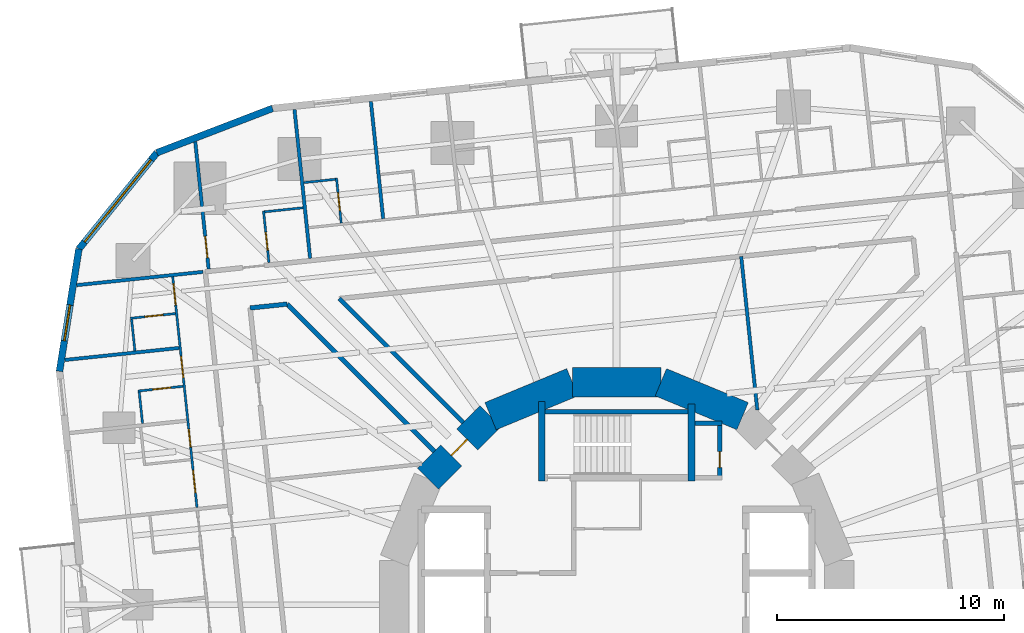
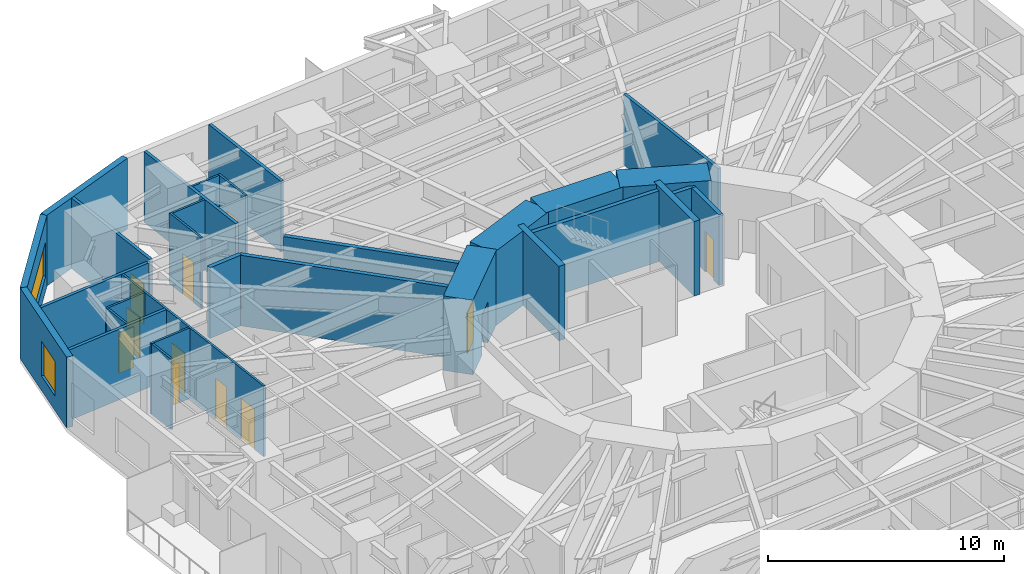
# One storey, part 10 of 15: 30 walls, 11 doors, 2 windows, 13 openings.
"""IFC4 building model written with IfcOpenShell, lengths in metres."""

import ifcopenshell
import ifcopenshell.guid

model = None  # the IFC model being written
_history = None  # IfcOwnerHistory: only IFC2X3 demands one
_inside = {}  # id of a spatial element -> (the spatial element, [elements in it])
_under = {}  # id of a project, library or spatial element -> (it, [spatial elements below it])
_declared = {}  # id of a project -> (the project, [libraries it declares])
_typed = {}  # id of a type object -> (the type object, [elements of that type])
_made_of = {}  # id of a material, layer set ... -> (it, [elements and type objects made of it])


def new_model(schema):
    """Start an empty IFC model of exactly this schema.

    Asked for "IFC4X3", IfcOpenShell would pick the latest addendum, in which some entities
    have other attributes; the version numbers below select the first issue.
    IFC2X3 requires an IfcOwnerHistory on every rooted entity: one is made here for all.
    """
    global model, _history
    if schema == "IFC4X3":
        model = ifcopenshell.file(schema_version=(4, 3, 0, 0))
    else:
        model = ifcopenshell.file(schema=schema)
    _inside.clear()
    _under.clear()
    _declared.clear()
    _typed.clear()
    _made_of.clear()
    _history = None
    if model.schema == "IFC2X3":
        org = make("IfcOrganization", Name="unknown")
        user = make(
            "IfcPersonAndOrganization",
            ThePerson=make("IfcPerson", FamilyName="unknown"),
            TheOrganization=org,
        )
        app = make(
            "IfcApplication",
            ApplicationDeveloper=org,
            Version="unknown",
            ApplicationFullName="unknown",
            ApplicationIdentifier="unknown",
        )
        _history = make(
            "IfcOwnerHistory",
            OwningUser=user,
            OwningApplication=app,
            ChangeAction="ADDED",
            CreationDate=0,
        )
    return model


def make(cls, **values):
    """One entity of the class cls with the attributes given. An attribute that is None is left unset."""
    return model.create_entity(
        cls, **{name: value for name, value in values.items() if value is not None}
    )


def rooted(cls, **values):
    """An entity with a GlobalId (a new one), such as an element, a storey or a relation."""
    return make(cls, GlobalId=ifcopenshell.guid.new(), OwnerHistory=_history, **values)


def si_unit(unit_type, name, prefix=None):
    """IfcSIUnit, for example si_unit("LENGTHUNIT", "METRE", prefix="MILLI")."""
    return make("IfcSIUnit", UnitType=unit_type, Prefix=prefix, Name=name)


def assignment(units):
    """IfcUnitAssignment: the units of a project."""
    return None if units is None else make("IfcUnitAssignment", Units=units)


def point(xyz):
    """IfcCartesianPoint."""
    return None if xyz is None else make("IfcCartesianPoint", Coordinates=xyz)


def direction(xyz):
    """IfcDirection."""
    return None if xyz is None else make("IfcDirection", DirectionRatios=xyz)


def frame(location, z_axis=None, x_axis=None):
    """IfcAxis2Placement3D, a coordinate frame: its origin and axes. An axis left out is left unset."""
    return make(
        "IfcAxis2Placement3D",
        Location=point(location),
        Axis=direction(z_axis),
        RefDirection=direction(x_axis),
    )


def frame_2d(location, x_axis=None):
    """IfcAxis2Placement2D, a coordinate frame in the plane: its origin and x axis."""
    return make(
        "IfcAxis2Placement2D", Location=point(location), RefDirection=direction(x_axis)
    )


def origin():
    """The frame at (0, 0, 0) with its axes left unset."""
    return frame((0.0, 0.0, 0.0))


def place(relative_to, where):
    """IfcLocalPlacement: puts the frame where relative to a parent placement (None: the world)."""
    return make(
        "IfcLocalPlacement", PlacementRelTo=relative_to, RelativePlacement=where
    )


def context(
    kind, dimensions, precision=None, world=None, true_north=None, identifier=None
):
    """IfcGeometricRepresentationContext, for example the 3D "Model" context."""
    return make(
        "IfcGeometricRepresentationContext",
        ContextIdentifier=identifier,
        ContextType=kind,
        CoordinateSpaceDimension=dimensions,
        Precision=precision,
        WorldCoordinateSystem=world,
        TrueNorth=true_north,
    )


def subcontext(parent, identifier, kind, view, scale=None):
    """IfcGeometricRepresentationSubContext, for example "Body" below "Model"."""
    return make(
        "IfcGeometricRepresentationSubContext",
        ContextIdentifier=identifier,
        ContextType=kind,
        ParentContext=parent,
        TargetScale=scale,
        TargetView=view,
    )


def project(units=None, contexts=None):
    """IfcProject with its units and contexts."""
    return rooted(
        "IfcProject",
        Name="project",
        RepresentationContexts=contexts,
        UnitsInContext=assignment(units),
    )


def spatial(cls, under=None, at=None, **own):
    """A site, building, storey or space (cls), placed at a placement, below another one or the project."""
    s = rooted(cls, ObjectPlacement=at, **own)
    if under is not None:
        _under.setdefault(under.id(), (under, []))[1].append(s)
    return s


def profile(cls, at=None, kind="AREA", **sizes):
    """A parametric profile (cls). Its sizes go by their IFC names, for example OverallWidth=200.0."""
    return make(cls, ProfileType=kind, Position=at, **sizes)


def rectangle(**sizes):
    """IfcRectangleProfileDef."""
    return profile("IfcRectangleProfileDef", **sizes)


def extrude(swept, where, along, depth):
    """IfcExtrudedAreaSolid: the profile swept, set in the frame where, extruded along a direction by depth."""
    return make(
        "IfcExtrudedAreaSolid",
        SweptArea=swept,
        Position=where,
        ExtrudedDirection=direction(along),
        Depth=depth,
    )


def shape(context_of_items, identifier, shape_type, items):
    """IfcShapeRepresentation: the items that make up one representation, for example the "Body"."""
    return make(
        "IfcShapeRepresentation",
        ContextOfItems=context_of_items,
        RepresentationIdentifier=identifier,
        RepresentationType=shape_type,
        Items=items,
    )


def material(Name=None, Category=None):
    """IfcMaterial."""
    return make("IfcMaterial", Name=Name, Category=Category)


def layer(
    of_material, thickness, ventilated=None, Name=None, Category=None, Priority=None
):
    """IfcMaterialLayer: one layer of a wall or slab, of a material (None: an air gap)."""
    return make(
        "IfcMaterialLayer",
        Material=of_material,
        LayerThickness=thickness,
        IsVentilated=ventilated,
        Name=Name,
        Category=Category,
        Priority=Priority,
    )


def layer_set(layers, Name=None):
    """IfcMaterialLayerSet."""
    return make("IfcMaterialLayerSet", MaterialLayers=layers, LayerSetName=Name)


def made_of(thing, what):
    """Note that an element or type object is made of a material, layer set ...; save() writes the relation."""
    if what is not None:
        _made_of.setdefault(what.id(), (what, []))[1].append(thing)
    return thing


def type_object(cls, material=None, **own):
    """A type object (cls), such as IfcWallType, which elements share."""
    return made_of(rooted(cls, **own), material)


def element(
    cls,
    number,
    at=None,
    inside=None,
    cuts=None,
    type_object=None,
    material=None,
    context=None,
    identifier="Body",
    shape_type=None,
    held_by="IfcProductDefinitionShape",
    body=None,
    shapes=None,
    **own,
):
    """One element of the class cls, such as IfcWall. Its Tag is "e" and its number.

    at: its placement. inside: the storey or other place that contains it. cuts: it is an
    opening in that element (IfcRelVoidsElement). A single representation is given by context,
    identifier, shape_type and body (its items); several are given by shapes. held_by: the class
    of the entity that holds the representations. save() writes the other relations.
    """
    e = rooted(cls, Tag="e%d" % number, ObjectPlacement=at, **own)
    if body is not None:
        shapes = [shape(context, identifier, shape_type, body)]
    if shapes is not None:
        e.Representation = make(held_by, Representations=shapes)
    if inside is not None:
        _inside.setdefault(inside.id(), (inside, []))[1].append(e)
    if cuts is not None:
        rooted(
            "IfcRelVoidsElement", RelatingBuildingElement=cuts, RelatedOpeningElement=e
        )
    if type_object is not None:
        _typed.setdefault(type_object.id(), (type_object, []))[1].append(e)
    return made_of(e, material)


def fill(opening, filler):
    """IfcRelFillsElement: the door or window that sits in an opening."""
    return rooted(
        "IfcRelFillsElement",
        RelatingOpeningElement=opening,
        RelatedBuildingElement=filler,
    )


def aggregate(whole, parts):
    """IfcRelAggregates: a whole, such as a stair, and the parts it consists of."""
    return rooted("IfcRelAggregates", RelatingObject=whole, RelatedObjects=parts)


def save(model, path):
    """Write the relations noted so far, then the file.

    IfcRelAggregates (storeys below a building ...), IfcRelContainedInSpatialStructure (elements
    in a storey), IfcRelDefinesByType, IfcRelAssociatesMaterial and IfcRelDeclares: one each for
    every whole, place, type object, material and project.
    """
    for whole, parts in _under.values():
        aggregate(whole, parts)
    for where, things in _inside.values():
        rooted(
            "IfcRelContainedInSpatialStructure",
            RelatedElements=things,
            RelatingStructure=where,
        )
    for kind, things in _typed.values():
        rooted("IfcRelDefinesByType", RelatedObjects=things, RelatingType=kind)
    for what, things in _made_of.values():
        rooted("IfcRelAssociatesMaterial", RelatedObjects=things, RelatingMaterial=what)
    for by, libraries in _declared.values():
        rooted("IfcRelDeclares", RelatingContext=by, RelatedDefinitions=libraries)
    model.write(path)


model = new_model("IFC4")

# Units and contexts
model_context = context("Model", 3, precision=1e-05, world=origin(), true_north=direction((0.0, 1.0)))
body_context = subcontext(model_context, "Body", "Model", "MODEL_VIEW")
ifc_project = project(units=[si_unit("LENGTHUNIT", "METRE"), si_unit("AREAUNIT", "SQUARE_METRE"), si_unit("VOLUMEUNIT", "CUBIC_METRE"), si_unit("PLANEANGLEUNIT", "RADIAN"), si_unit("MASSUNIT", "GRAM", prefix="KILO")], contexts=[model_context])

# Site, building, storey
site_placement = place(None, origin())
site = spatial("IfcSite", under=ifc_project, at=site_placement, CompositionType="ELEMENT")
building_placement = place(site_placement, origin())
building = spatial("IfcBuilding", under=site, at=building_placement, Name="Nakasero Lantern House", CompositionType="ELEMENT")
storey_placement = place(building_placement, frame((0.0, 0.0, 72.050048828125)))
storey = spatial("IfcBuildingStorey", under=building, at=storey_placement, Name="L17", CompositionType="ELEMENT", Elevation=72.050048828125)

# Wall, openings, doors
ifc_material_1 = material(Name="Blockwork", Category="masonry")
ifc_layer_1 = layer(ifc_material_1, 0.10009765625)
ifc_layer_set_1 = layer_set([ifc_layer_1], Name="Cluster hall wall 100")
wall_type_1 = type_object("IfcWallType", Name="Cluster hall wall 100", PredefinedType="PARTITIONING", material=ifc_layer_set_1)
wall_1_placement = place(storey_placement, frame((-19.568603515625, 14.458740234375, 0.0), z_axis=(0.0, 0.0, 1.0), x_axis=(0.104541804513, -0.994520493056, 0.0)))
wall_1 = element("IfcWall", 1, at=wall_1_placement, inside=storey, type_object=wall_type_1, Name="Cluster hall wall L17 HW2-0", PredefinedType="PARTITIONING", context=body_context, shape_type="SweptSolid", body=[
    extrude(rectangle(XDim=10.2216796875, YDim=0.10009765625, at=frame_2d((5.11083984375, 0.0))), origin(), (0.0, 0.0, 1.0), 3.64990234375),
])
opening_1_placement = place(wall_1_placement, frame((8.57568359375, 0.0, 0.0)))
opening_1 = element("IfcOpeningElement", 2, at=opening_1_placement, cuts=wall_1, Name="Opening D03", PredefinedType="OPENING", context=body_context, shape_type="SweptSolid", body=[
    extrude(rectangle(XDim=1.0, YDim=2.10009765625, at=frame_2d((0.5, 1.050048828125))), frame((0.0, 0.070068359375, 0.0), z_axis=(0.0, -1.0, 0.0), x_axis=(1.0, 0.0, 0.0)), (0.0, 0.0, 1.0), 0.14013671875),
])
opening_2_placement = place(wall_1_placement, frame((6.75048828125, 0.0, 0.0)))
opening_2 = element("IfcOpeningElement", 3, at=opening_2_placement, cuts=wall_1, Name="Opening D02", PredefinedType="OPENING", context=body_context, shape_type="SweptSolid", body=[
    extrude(rectangle(XDim=0.800048828125, YDim=2.10009765625, at=frame_2d((0.39990234375, 1.050048828125))), frame((0.0, 0.070068359375, 0.0), z_axis=(0.0, -1.0, 0.0), x_axis=(1.0, 0.0, 0.0)), (0.0, 0.0, 1.0), 0.14013671875),
])
opening_3_placement = place(wall_1_placement, frame((0.300048828125, 0.0, 0.0)))
opening_3 = element("IfcOpeningElement", 4, at=opening_3_placement, cuts=wall_1, Name="Opening D01", PredefinedType="OPENING", context=body_context, shape_type="SweptSolid", body=[
    extrude(rectangle(XDim=0.949951171875, YDim=2.10009765625, at=frame_2d((0.47509765625, 1.050048828125))), frame((0.0, 0.070068359375, 0.0), z_axis=(0.0, -1.0, 0.0), x_axis=(1.0, 0.0, 0.0)), (0.0, 0.0, 1.0), 0.14013671875),
])
opening_4_placement = place(wall_1_placement, frame((3.525390625, 0.0, 0.0)))
opening_4 = element("IfcOpeningElement", 5, at=opening_4_placement, cuts=wall_1, Name="Opening D01", PredefinedType="OPENING", context=body_context, shape_type="SweptSolid", body=[
    extrude(rectangle(XDim=0.949951171875, YDim=2.10009765625, at=frame_2d((0.47509765625, 1.050048828125))), frame((0.0, 0.070068359375, 0.0), z_axis=(0.0, -1.0, 0.0), x_axis=(1.0, 0.0, 0.0)), (0.0, 0.0, 1.0), 0.14013671875),
])
ifc_material_2 = material(Name="Timber C24", Category="wood")
door_type_1 = type_object("IfcDoorType", Name="Bedroom door FD30S 950", OperationType="SINGLE_SWING_LEFT", PredefinedType="DOOR", material=ifc_material_2)
door_1_placement = place(opening_3_placement, origin())
door_1 = element("IfcDoor", 6, at=door_1_placement, inside=storey, type_object=door_type_1, Name="Door L17 D2-00", OperationType="SINGLE_SWING_LEFT", OverallHeight=2.10009765625, OverallWidth=0.949951171875, PredefinedType="DOOR", context=body_context, shape_type="SweptSolid", body=[
    extrude(rectangle(XDim=0.949951171875, YDim=2.10009765625, at=frame_2d((0.47509765625, 1.050048828125))), frame((0.0, 0.02490234375, 0.0), z_axis=(0.0, -1.0, 0.0), x_axis=(1.0, 0.0, 0.0)), (0.0, 0.0, 1.0), 0.050048828125),
])
fill(opening_3, door_1)
door_2_placement = place(opening_4_placement, origin())
door_2 = element("IfcDoor", 7, at=door_2_placement, inside=storey, type_object=door_type_1, Name="Door L17 D2-01", OperationType="SINGLE_SWING_LEFT", OverallHeight=2.10009765625, OverallWidth=0.949951171875, PredefinedType="DOOR", context=body_context, shape_type="SweptSolid", body=[
    extrude(rectangle(XDim=0.949951171875, YDim=2.10009765625, at=frame_2d((0.47509765625, 1.050048828125))), frame((0.0, 0.02490234375, 0.0), z_axis=(0.0, -1.0, 0.0), x_axis=(1.0, 0.0, 0.0)), (0.0, 0.0, 1.0), 0.050048828125),
])
fill(opening_4, door_2)
ifc_material_3 = material(Name="Timber C24", Category="wood")
door_type_2 = type_object("IfcDoorType", Name="En-suite door 800", OperationType="SINGLE_SWING_RIGHT", PredefinedType="DOOR", material=ifc_material_3)
door_3_placement = place(opening_2_placement, origin())
door_3 = element("IfcDoor", 8, at=door_3_placement, inside=storey, type_object=door_type_2, Name="Door L17 DSH2-0", OperationType="SINGLE_SWING_RIGHT", OverallHeight=2.10009765625, OverallWidth=0.800048828125, PredefinedType="DOOR", context=body_context, shape_type="SweptSolid", body=[
    extrude(rectangle(XDim=0.800048828125, YDim=2.10009765625, at=frame_2d((0.39990234375, 1.050048828125))), frame((0.0, 0.02490234375, 0.0), z_axis=(0.0, -1.0, 0.0), x_axis=(1.0, 0.0, 0.0)), (0.0, 0.0, 1.0), 0.050048828125),
])
fill(opening_2, door_3)
ifc_material_4 = material(Name="Timber C24", Category="wood")
door_type_3 = type_object("IfcDoorType", Name="Lounge door FD30S 1000", OperationType="SINGLE_SWING_LEFT", PredefinedType="DOOR", material=ifc_material_4)
door_4_placement = place(opening_1_placement, origin())
door_4 = element("IfcDoor", 9, at=door_4_placement, inside=storey, type_object=door_type_3, Name="Door L17 DH2-0", OperationType="SINGLE_SWING_RIGHT", OverallHeight=2.10009765625, OverallWidth=1.0, PredefinedType="DOOR", context=body_context, shape_type="SweptSolid", body=[
    extrude(rectangle(XDim=1.0, YDim=2.10009765625, at=frame_2d((0.5, 1.050048828125))), frame((0.0, 0.02490234375, 0.0), z_axis=(0.0, -1.0, 0.0), x_axis=(1.0, 0.0, 0.0)), (0.0, 0.0, 1.0), 0.050048828125),
])
fill(opening_1, door_4)

# Walls
ifc_material_5 = material(Name="Concrete C50/60", Category="concrete")
ifc_layer_2 = layer(ifc_material_5, 0.300048828125)
ifc_layer_set_2 = layer_set([ifc_layer_2], Name="Core inner wall 300")
wall_type_2 = type_object("IfcWallType", Name="Core inner wall 300", PredefinedType="SHEAR", material=ifc_layer_set_2)
wall_2_placement = place(storey_placement, frame((-3.300048828125, 5.449951171875, 0.0), z_axis=(0.0, 0.0, 1.0), x_axis=(0.0, 1.0, 0.0)))
element("IfcWall", 10, at=wall_2_placement, inside=storey, type_object=wall_type_2, Name="Core inner wall L17 SNW", PredefinedType="SHEAR", context=body_context, shape_type="SweptSolid", body=[
    extrude(rectangle(XDim=3.5, YDim=0.300048828125, at=frame_2d((1.75, 0.0))), origin(), (0.0, 0.0, 1.0), 3.849853515625),
])
wall_3_placement = place(storey_placement, frame((3.300048828125, 5.449951171875, 0.0), z_axis=(0.0, 0.0, 1.0), x_axis=(0.0, 1.0, 0.0)))
element("IfcWall", 11, at=wall_3_placement, inside=storey, type_object=wall_type_2, Name="Core inner wall L17 SNE", PredefinedType="SHEAR", context=body_context, shape_type="SweptSolid", body=[
    extrude(rectangle(XDim=3.400146484375, YDim=0.300048828125, at=frame_2d((1.7001953125, 0.0))), origin(), (0.0, 0.0, 1.0), 3.849853515625),
])
ifc_material_6 = material(Name="Concrete C50/60", Category="concrete")
ifc_layer_3 = layer(ifc_material_6, 1.300048828125)
ifc_layer_set_3 = layer_set([ifc_layer_3], Name="Core wall 1300")
wall_type_3 = type_object("IfcWallType", Name="Core wall 1300", PredefinedType="SHEAR", material=ifc_layer_set_3)
for number, where, z_axis, x_axis, name in (
    (12, (5.5556640625, 8.314697265625, 0.0), (0.0, 0.0, 1.0), (-0.923876507187, 0.382690736062, 0.0), "Core wall L17 facet 3"),
    (13, (1.950927734375, 9.807861328125, 0.0), (0.0, 0.0, 1.0), (-1.0, 0.0, 0.0), "Core wall L17 facet 4"),
    (14, (-1.950927734375, 9.807861328125, 0.0), (0.0, 0.0, 1.0), (-0.923876507187, -0.382690736062, 0.0), "Core wall L17 facet 5"),
):
    element("IfcWall", number, at=place(storey_placement, frame(where, z_axis=z_axis, x_axis=x_axis)), inside=storey, type_object=wall_type_3, Name=name, PredefinedType="SHEAR", context=body_context, shape_type="SweptSolid", body=[
        extrude(rectangle(XDim=3.90185546875, YDim=1.300048828125, at=frame_2d((1.950927734375, 0.0))), origin(), (0.0, 0.0, 1.0), 3.849853515625),
    ])

# Wall, opening, door
wall_4_placement = place(storey_placement, frame((-5.5556640625, 8.314697265625, 0.0), z_axis=(0.0, 0.0, 1.0), x_axis=(-0.707106781187, -0.707106781187, 0.0)))
wall_4 = element("IfcWall", 15, at=wall_4_placement, inside=storey, type_object=wall_type_3, Name="Core wall L17 facet 6", PredefinedType="SHEAR", context=body_context, shape_type="SweptSolid", body=[
    extrude(rectangle(XDim=3.90185546875, YDim=1.300048828125, at=frame_2d((1.950927734375, 0.0))), origin(), (0.0, 0.0, 1.0), 3.849853515625),
])
opening_5_placement = place(wall_4_placement, frame((1.450927734375, 0.0, 0.0)))
opening_5 = element("IfcOpeningElement", 16, at=opening_5_placement, cuts=wall_4, Name="Opening D05", PredefinedType="OPENING", context=body_context, shape_type="SweptSolid", body=[
    extrude(rectangle(XDim=1.0, YDim=2.10009765625, at=frame_2d((0.5, 1.050048828125))), frame((0.0, 0.669921875, 0.0), z_axis=(0.0, -1.0, 0.0), x_axis=(1.0, 0.0, 0.0)), (0.0, 0.0, 1.0), 1.340087890625),
])
ifc_material_7 = material(Name="Timber C24", Category="wood")
door_type_4 = type_object("IfcDoorType", Name="Core door FD60S 1000", OperationType="SINGLE_SWING_LEFT", PredefinedType="DOOR", material=ifc_material_7)
door_5_placement = place(opening_5_placement, origin())
door_5 = element("IfcDoor", 17, at=door_5_placement, inside=storey, type_object=door_type_4, Name="Door L17 D-CORE06", OperationType="SINGLE_SWING_LEFT", OverallHeight=2.10009765625, OverallWidth=1.0, PredefinedType="DOOR", context=body_context, shape_type="SweptSolid", body=[
    extrude(rectangle(XDim=1.0, YDim=2.10009765625, at=frame_2d((0.5, 1.050048828125))), frame((0.0, 0.02490234375, 0.0), z_axis=(0.0, -1.0, 0.0), x_axis=(1.0, 0.0, 0.0)), (0.0, 0.0, 1.0), 0.050048828125),
])
fill(opening_5, door_5)

# Walls
ifc_material_8 = material(Name="Blockwork", Category="masonry")
ifc_layer_4 = layer(ifc_material_8, 0.199951171875)
ifc_layer_set_4 = layer_set([ifc_layer_4], Name="Corridor wall 200")
wall_type_4 = type_object("IfcWallType", Name="Corridor wall 200", PredefinedType="PARTITIONING", material=ifc_layer_set_4)
wall_5_placement = place(storey_placement, frame((-14.52685546875, 13.254150390625, 0.0), z_axis=(0.0, 0.0, 1.0), x_axis=(-0.99452748025, -0.104475313001, 0.0)))
element("IfcWall", 18, at=wall_5_placement, inside=storey, type_object=wall_type_4, Name="Corridor wall L17 IW1-1", PredefinedType="PARTITIONING", context=body_context, shape_type="SweptSolid", body=[
    extrude(rectangle(XDim=1.63818359375, YDim=0.199951171875, at=frame_2d((0.819091796875, 0.0))), origin(), (0.0, 0.0, 1.0), 3.64990234375),
])
wall_6_placement = place(storey_placement, frame((-8.03125, 6.758544921875, 0.0), z_axis=(0.0, 0.0, 1.0), x_axis=(-0.707106781187, 0.707106781187, 0.0)))
element("IfcWall", 19, at=wall_6_placement, inside=storey, type_object=wall_type_4, Name="Corridor wall L17 PS06a", PredefinedType="PARTITIONING", context=body_context, shape_type="SweptSolid", body=[
    extrude(rectangle(XDim=9.186279296875, YDim=0.199951171875, at=frame_2d((4.59326171875, 0.0))), origin(), (0.0, 0.0, 1.0), 3.64990234375),
])
wall_7_placement = place(storey_placement, frame((-6.758544921875, 8.03125, 0.0), z_axis=(0.0, 0.0, 1.0), x_axis=(-0.707090986447, 0.707122575573, 0.0)))
element("IfcWall", 20, at=wall_7_placement, inside=storey, type_object=wall_type_4, Name="Corridor wall L17 PS06b", PredefinedType="PARTITIONING", context=body_context, shape_type="SweptSolid", body=[
    extrude(rectangle(XDim=7.728515625, YDim=0.199951171875, at=frame_2d((3.8642578125, 0.0))), origin(), (0.0, 0.0, 1.0), 3.64990234375),
])

# Wall, opening, door
ifc_material_9 = material(Name="Blockwork", Category="masonry")
ifc_layer_5 = layer(ifc_material_9, 0.10009765625)
ifc_layer_set_5 = layer_set([ifc_layer_5], Name="En-suite wall 100")
wall_type_5 = type_object("IfcWallType", Name="En-suite wall 100", PredefinedType="PARTITIONING", material=ifc_layer_set_5)
wall_8_placement = place(storey_placement, frame((-12.14111328125, 16.822998046875, 0.0), z_axis=(0.0, 0.0, 1.0), x_axis=(-0.104494148666, 0.99452550138, 0.0)))
wall_8 = element("IfcWall", 21, at=wall_8_placement, inside=storey, type_object=wall_type_5, Name="En-suite wall L17 ES1-07", PredefinedType="PARTITIONING", context=body_context, shape_type="SweptSolid", body=[
    extrude(rectangle(XDim=2.0, YDim=0.10009765625, at=frame_2d((1.0, 0.0))), origin(), (0.0, 0.0, 1.0), 3.64990234375),
])
opening_6_placement = place(wall_8_placement, frame((0.550048828125, 0.0, 0.0)))
opening_6 = element("IfcOpeningElement", 22, at=opening_6_placement, cuts=wall_8, Name="Opening D02", PredefinedType="OPENING", context=body_context, shape_type="SweptSolid", body=[
    extrude(rectangle(XDim=0.800048828125, YDim=2.10009765625, at=frame_2d((0.39990234375, 1.050048828125))), frame((0.0, 0.070068359375, 0.0), z_axis=(0.0, -1.0, 0.0), x_axis=(1.0, 0.0, 0.0)), (0.0, 0.0, 1.0), 0.14013671875),
])
door_6_placement = place(opening_6_placement, origin())
door_6 = element("IfcDoor", 23, at=door_6_placement, inside=storey, type_object=door_type_2, Name="Door L17 DE1-07", OperationType="SINGLE_SWING_LEFT", OverallHeight=2.10009765625, OverallWidth=0.800048828125, PredefinedType="DOOR", context=body_context, shape_type="SweptSolid", body=[
    extrude(rectangle(XDim=0.800048828125, YDim=2.10009765625, at=frame_2d((0.39990234375, 1.050048828125))), frame((0.0, 0.02490234375, 0.0), z_axis=(0.0, -1.0, 0.0), x_axis=(1.0, 0.0, 0.0)), (0.0, 0.0, 1.0), 0.050048828125),
])
fill(opening_6, door_6)

# Wall
wall_9_placement = place(storey_placement, frame((-12.394775390625, 18.757080078125, 0.0), z_axis=(0.0, 0.0, 1.0), x_axis=(-0.994529315664, -0.104457839748, 0.0)))
element("IfcWall", 24, at=wall_9_placement, inside=storey, type_object=wall_type_5, Name="En-suite wall L17 EE1-07", PredefinedType="PARTITIONING", context=body_context, shape_type="SweptSolid", body=[
    extrude(rectangle(XDim=1.39990234375, YDim=0.10009765625, at=frame_2d((0.699951171875, 0.0))), origin(), (0.0, 0.0, 1.0), 3.64990234375),
])

# Wall, opening, door
wall_10_placement = place(storey_placement, frame((-15.326416015625, 15.08056640625, 0.0), z_axis=(0.0, 0.0, 1.0), x_axis=(-0.104557694553, 0.994518822602, 0.0)))
wall_10 = element("IfcWall", 25, at=wall_10_placement, inside=storey, type_object=wall_type_5, Name="En-suite wall L17 ES1-08", PredefinedType="PARTITIONING", context=body_context, shape_type="SweptSolid", body=[
    extrude(rectangle(XDim=2.300048828125, YDim=0.10009765625, at=frame_2d((1.14990234375, 0.0))), origin(), (0.0, 0.0, 1.0), 3.64990234375),
])
opening_7_placement = place(wall_10_placement, frame((0.550048828125, 0.0, 0.0)))
opening_7 = element("IfcOpeningElement", 26, at=opening_7_placement, cuts=wall_10, Name="Opening D02", PredefinedType="OPENING", context=body_context, shape_type="SweptSolid", body=[
    extrude(rectangle(XDim=0.800048828125, YDim=2.10009765625, at=frame_2d((0.39990234375, 1.050048828125))), frame((0.0, 0.070068359375, 0.0), z_axis=(0.0, -1.0, 0.0), x_axis=(1.0, 0.0, 0.0)), (0.0, 0.0, 1.0), 0.14013671875),
])
door_7_placement = place(opening_7_placement, origin())
door_7 = element("IfcDoor", 27, at=door_7_placement, inside=storey, type_object=door_type_2, Name="Door L17 DE1-08", OperationType="SINGLE_SWING_LEFT", OverallHeight=2.10009765625, OverallWidth=0.800048828125, PredefinedType="DOOR", context=body_context, shape_type="SweptSolid", body=[
    extrude(rectangle(XDim=0.800048828125, YDim=2.10009765625, at=frame_2d((0.39990234375, 1.050048828125))), frame((0.0, 0.02490234375, 0.0), z_axis=(0.0, -1.0, 0.0), x_axis=(1.0, 0.0, 0.0)), (0.0, 0.0, 1.0), 0.050048828125),
])
fill(opening_7, door_7)

# Wall
wall_11_placement = place(storey_placement, frame((-13.8212890625, 17.501220703125, 0.0), z_axis=(0.0, 0.0, 1.0), x_axis=(-0.994519608382, -0.104550220202, 0.0)))
element("IfcWall", 28, at=wall_11_placement, inside=storey, type_object=wall_type_5, Name="En-suite wall L17 EE1-08", PredefinedType="PARTITIONING", context=body_context, shape_type="SweptSolid", body=[
    extrude(rectangle(XDim=1.699951171875, YDim=0.10009765625, at=frame_2d((0.85009765625, 0.0))), origin(), (0.0, 0.0, 1.0), 3.64990234375),
])

# Wall, opening, door
wall_12_placement = place(storey_placement, frame((-19.448486328125, 12.837158203125, 0.0), z_axis=(0.0, 0.0, 1.0), x_axis=(-0.99452550138, -0.104494148666, 0.0)))
wall_12 = element("IfcWall", 29, at=wall_12_placement, inside=storey, type_object=wall_type_5, Name="En-suite wall L17 ES2-00", PredefinedType="PARTITIONING", context=body_context, shape_type="SweptSolid", body=[
    extrude(rectangle(XDim=2.0, YDim=0.10009765625, at=frame_2d((1.0, 0.0))), origin(), (0.0, 0.0, 1.0), 3.64990234375),
])
opening_8_placement = place(wall_12_placement, frame((0.550048828125, 0.0, 0.0)))
opening_8 = element("IfcOpeningElement", 30, at=opening_8_placement, cuts=wall_12, Name="Opening D02", PredefinedType="OPENING", context=body_context, shape_type="SweptSolid", body=[
    extrude(rectangle(XDim=0.800048828125, YDim=2.10009765625, at=frame_2d((0.39990234375, 1.050048828125))), frame((0.0, 0.070068359375, 0.0), z_axis=(0.0, -1.0, 0.0), x_axis=(1.0, 0.0, 0.0)), (0.0, 0.0, 1.0), 0.14013671875),
])
door_8_placement = place(opening_8_placement, origin())
door_8 = element("IfcDoor", 31, at=door_8_placement, inside=storey, type_object=door_type_2, Name="Door L17 DE2-00", OperationType="SINGLE_SWING_LEFT", OverallHeight=2.10009765625, OverallWidth=0.800048828125, PredefinedType="DOOR", context=body_context, shape_type="SweptSolid", body=[
    extrude(rectangle(XDim=0.800048828125, YDim=2.10009765625, at=frame_2d((0.39990234375, 1.050048828125))), frame((0.0, 0.02490234375, 0.0), z_axis=(0.0, -1.0, 0.0), x_axis=(1.0, 0.0, 0.0)), (0.0, 0.0, 1.0), 0.050048828125),
])
fill(opening_8, door_8)

# Wall
wall_13_placement = place(storey_placement, frame((-21.382568359375, 12.58349609375, 0.0), z_axis=(0.0, 0.0, 1.0), x_axis=(0.104630319263, -0.994511184598, 0.0)))
element("IfcWall", 32, at=wall_13_placement, inside=storey, type_object=wall_type_5, Name="En-suite wall L17 EE2-00", PredefinedType="PARTITIONING", context=body_context, shape_type="SweptSolid", body=[
    extrude(rectangle(XDim=1.39990234375, YDim=0.10009765625, at=frame_2d((0.699951171875, 0.0))), origin(), (0.0, 0.0, 1.0), 3.64990234375),
])

# Wall, opening, door
wall_14_placement = place(storey_placement, frame((-19.111328125, 9.62939453125, 0.0), z_axis=(0.0, 0.0, 1.0), x_axis=(-0.99452550138, -0.104494148666, 0.0)))
wall_14 = element("IfcWall", 33, at=wall_14_placement, inside=storey, type_object=wall_type_5, Name="En-suite wall L17 ES2-01", PredefinedType="PARTITIONING", context=body_context, shape_type="SweptSolid", body=[
    extrude(rectangle(XDim=2.0, YDim=0.10009765625, at=frame_2d((1.0, 0.0))), origin(), (0.0, 0.0, 1.0), 3.64990234375),
])
opening_9_placement = place(wall_14_placement, frame((0.550048828125, 0.0, 0.0)))
opening_9 = element("IfcOpeningElement", 34, at=opening_9_placement, cuts=wall_14, Name="Opening D02", PredefinedType="OPENING", context=body_context, shape_type="SweptSolid", body=[
    extrude(rectangle(XDim=0.800048828125, YDim=2.10009765625, at=frame_2d((0.39990234375, 1.050048828125))), frame((0.0, 0.070068359375, 0.0), z_axis=(0.0, -1.0, 0.0), x_axis=(1.0, 0.0, 0.0)), (0.0, 0.0, 1.0), 0.14013671875),
])
door_9_placement = place(opening_9_placement, origin())
door_9 = element("IfcDoor", 35, at=door_9_placement, inside=storey, type_object=door_type_2, Name="Door L17 DE2-01", OperationType="SINGLE_SWING_LEFT", OverallHeight=2.10009765625, OverallWidth=0.800048828125, PredefinedType="DOOR", context=body_context, shape_type="SweptSolid", body=[
    extrude(rectangle(XDim=0.800048828125, YDim=2.10009765625, at=frame_2d((0.39990234375, 1.050048828125))), frame((0.0, 0.02490234375, 0.0), z_axis=(0.0, -1.0, 0.0), x_axis=(1.0, 0.0, 0.0)), (0.0, 0.0, 1.0), 0.050048828125),
])
fill(opening_9, door_9)

# Walls
wall_15_placement = place(storey_placement, frame((-21.04541015625, 9.3759765625, 0.0), z_axis=(0.0, 0.0, 1.0), x_axis=(0.104630319263, -0.994511184598, 0.0)))
element("IfcWall", 36, at=wall_15_placement, inside=storey, type_object=wall_type_5, Name="En-suite wall L17 EE2-01", PredefinedType="PARTITIONING", context=body_context, shape_type="SweptSolid", body=[
    extrude(rectangle(XDim=1.39990234375, YDim=0.10009765625, at=frame_2d((0.699951171875, 0.0))), origin(), (0.0, 0.0, 1.0), 3.64990234375),
])
ifc_material_10 = material(Name="Aluminium rainscreen on blockwork", Category="masonry")
ifc_layer_6 = layer(ifc_material_10, 0.300048828125)
ifc_layer_set_6 = layer_set([ifc_layer_6], Name="Facade wall 300")
wall_type_6 = type_object("IfcWallType", Name="Facade wall 300", PredefinedType="SOLIDWALL", material=ifc_layer_set_6)
wall_16_placement = place(storey_placement, frame((-15.170654296875, 21.884033203125, 0.0), z_axis=(0.0, 0.0, 1.0), x_axis=(-0.933583906079, -0.358358884793, 0.0)))
element("IfcWall", 37, at=wall_16_placement, inside=storey, type_object=wall_type_6, Name="Facade wall L17 FW1C1", PredefinedType="SOLIDWALL", context=body_context, shape_type="SweptSolid", body=[
    extrude(rectangle(XDim=5.461181640625, YDim=0.300048828125, at=frame_2d((2.73046875, 0.0))), origin(), (0.0, 0.0, 1.0), 3.64990234375),
])

# Wall, opening, window
wall_17_placement = place(storey_placement, frame((-20.26904296875, 19.927001953125, 0.0), z_axis=(0.0, 0.0, 1.0), x_axis=(-0.629334543442, -0.777134500863, 0.0)))
wall_17 = element("IfcWall", 38, at=wall_17_placement, inside=storey, type_object=wall_type_6, Name="Facade wall L17 FW1C2", PredefinedType="SOLIDWALL", context=body_context, shape_type="SweptSolid", body=[
    extrude(rectangle(XDim=5.4609375, YDim=0.300048828125, at=frame_2d((2.73046875, 0.0))), origin(), (0.0, 0.0, 1.0), 3.64990234375),
])
opening_10_placement = place(wall_17_placement, frame((0.39990234375, 0.0, 0.75)))
opening_10 = element("IfcOpeningElement", 39, at=opening_10_placement, cuts=wall_17, Name="Opening W246", PredefinedType="OPENING", context=body_context, shape_type="SweptSolid", body=[
    extrude(rectangle(XDim=4.660888671875, YDim=1.800048828125, at=frame_2d((2.33056640625, 0.89990234375))), frame((0.0, 0.169921875, 0.0), z_axis=(0.0, -1.0, 0.0), x_axis=(1.0, 0.0, 0.0)), (0.0, 0.0, 1.0), 0.340087890625),
])
ifc_material_11 = material(Name="Aluminium 6063-T6 and glass", Category="aluminium")
window_type_1 = type_object("IfcWindowType", Name="Corner window 4661x1800", PartitioningType="SINGLE_PANEL", PredefinedType="WINDOW", material=ifc_material_11)
window_1_placement = place(opening_10_placement, origin())
window_1 = element("IfcWindow", 40, at=window_1_placement, inside=storey, type_object=window_type_1, Name="Window L17 WC1", OverallHeight=1.800048828125, OverallWidth=4.660888671875, PartitioningType="SINGLE_PANEL", PredefinedType="WINDOW", context=body_context, shape_type="SweptSolid", body=[
    extrude(rectangle(XDim=4.660888671875, YDim=1.800048828125, at=frame_2d((2.33056640625, 0.89990234375))), frame((0.0, 0.030029296875, 0.0), z_axis=(0.0, -1.0, 0.0), x_axis=(1.0, 0.0, 0.0)), (0.0, 0.0, 1.0), 0.06005859375),
])
fill(opening_10, window_1)

wall_18_placement = place(storey_placement, frame((-23.705810546875, 15.68310546875, 0.0), z_axis=(0.0, 0.0, 1.0), x_axis=(-0.156419383601, -0.987690729142, 0.0)))
wall_18 = element("IfcWall", 41, at=wall_18_placement, inside=storey, type_object=wall_type_6, Name="Facade wall L17 FW1C3", PredefinedType="SOLIDWALL", context=body_context, shape_type="SweptSolid", body=[
    extrude(rectangle(XDim=5.461181640625, YDim=0.300048828125, at=frame_2d((2.73046875, 0.0))), origin(), (0.0, 0.0, 1.0), 3.64990234375),
])
opening_11_placement = place(wall_18_placement, frame((2.5, 0.0, 0.75)))
opening_11 = element("IfcOpeningElement", 42, at=opening_11_placement, cuts=wall_18, Name="Opening W01", PredefinedType="OPENING", context=body_context, shape_type="SweptSolid", body=[
    extrude(rectangle(XDim=1.60009765625, YDim=1.800048828125, at=frame_2d((0.800048828125, 0.89990234375))), frame((0.0, 0.169921875, 0.0), z_axis=(0.0, -1.0, 0.0), x_axis=(1.0, 0.0, 0.0)), (0.0, 0.0, 1.0), 0.340087890625),
])
ifc_material_12 = material(Name="Aluminium 6063-T6 and glass", Category="aluminium")
window_type_2 = type_object("IfcWindowType", Name="Bedroom window 1600x1800", PartitioningType="SINGLE_PANEL", PredefinedType="WINDOW", material=ifc_material_12)
window_2_placement = place(opening_11_placement, origin())
window_2 = element("IfcWindow", 43, at=window_2_placement, inside=storey, type_object=window_type_2, Name="Window L17 WN2-00", OverallHeight=1.800048828125, OverallWidth=1.60009765625, PartitioningType="SINGLE_PANEL", PredefinedType="WINDOW", context=body_context, shape_type="SweptSolid", body=[
    extrude(rectangle(XDim=1.60009765625, YDim=1.800048828125, at=frame_2d((0.800048828125, 0.89990234375))), frame((0.0, 0.030029296875, 0.0), z_axis=(0.0, -1.0, 0.0), x_axis=(1.0, 0.0, 0.0)), (0.0, 0.0, 1.0), 0.06005859375),
])
fill(opening_11, window_2)

# Wall, opening, door
ifc_material_13 = material(Name="Blockwork", Category="masonry")
ifc_layer_7 = layer(ifc_material_13, 0.199951171875)
ifc_layer_set_7 = layer_set([ifc_layer_7], Name="Fire lobby wall 200")
wall_type_7 = type_object("IfcWallType", Name="Fire lobby wall 200", PredefinedType="PARTITIONING", material=ifc_layer_set_7)
wall_19_placement = place(storey_placement, frame((4.550048828125, 5.60009765625, 0.0), z_axis=(0.0, 0.0, 1.0), x_axis=(0.0, 1.0, 0.0)))
wall_19 = element("IfcWall", 44, at=wall_19_placement, inside=storey, type_object=wall_type_7, Name="Fire lobby wall L17 W-RS1E", PredefinedType="PARTITIONING", context=body_context, shape_type="SweptSolid", body=[
    extrude(rectangle(XDim=2.39990234375, YDim=0.199951171875, at=frame_2d((1.199951171875, 0.0))), origin(), (0.0, 0.0, 1.0), 3.64990234375),
])
opening_12_placement = place(wall_19_placement, frame((0.449951171875, 0.0, 0.0)))
opening_12 = element("IfcOpeningElement", 45, at=opening_12_placement, cuts=wall_19, Name="Opening D06", PredefinedType="OPENING", context=body_context, shape_type="SweptSolid", body=[
    extrude(rectangle(XDim=0.699951171875, YDim=2.10009765625, at=frame_2d((0.35009765625, 1.050048828125))), frame((0.0, 0.119873046875, 0.0), z_axis=(0.0, -1.0, 0.0), x_axis=(1.0, 0.0, 0.0)), (0.0, 0.0, 1.0), 0.239990234375),
])
ifc_material_14 = material(Name="Steel S355", Category="steel")
door_type_5 = type_object("IfcDoorType", Name="Riser door FD60 700", OperationType="SINGLE_SWING_LEFT", PredefinedType="DOOR", material=ifc_material_14)
door_10_placement = place(opening_12_placement, origin())
door_10 = element("IfcDoor", 46, at=door_10_placement, inside=storey, type_object=door_type_5, Name="Door L17 D-RS1", OperationType="SINGLE_SWING_LEFT", OverallHeight=2.10009765625, OverallWidth=0.699951171875, PredefinedType="DOOR", context=body_context, shape_type="SweptSolid", body=[
    extrude(rectangle(XDim=0.699951171875, YDim=2.10009765625, at=frame_2d((0.35009765625, 1.050048828125))), frame((0.0, 0.02490234375, 0.0), z_axis=(0.0, -1.0, 0.0), x_axis=(1.0, 0.0, 0.0)), (0.0, 0.0, 1.0), 0.050048828125),
])
fill(opening_12, door_10)

# Walls
wall_20_placement = place(storey_placement, frame((3.449951171875, 8.0, 0.0), z_axis=(0.0, 0.0, 1.0), x_axis=(1.0, 0.0, 0.0)))
element("IfcWall", 47, at=wall_20_placement, inside=storey, type_object=wall_type_7, Name="Fire lobby wall L17 W-RS1N", PredefinedType="PARTITIONING", context=body_context, shape_type="SweptSolid", body=[
    extrude(rectangle(XDim=1.199951171875, YDim=0.199951171875, at=frame_2d((0.60009765625, 0.0))), origin(), (0.0, 0.0, 1.0), 3.64990234375),
])
wall_21_placement = place(storey_placement, frame((-3.300048828125, 8.5, 0.0), z_axis=(0.0, 0.0, 1.0), x_axis=(1.0, 0.0, 0.0)))
element("IfcWall", 48, at=wall_21_placement, inside=storey, type_object=wall_type_7, Name="Fire lobby wall L17 W-STN", PredefinedType="PARTITIONING", context=body_context, shape_type="SweptSolid", body=[
    extrude(rectangle(XDim=6.60009765625, YDim=0.199951171875, at=frame_2d((3.300048828125, 0.0))), origin(), (0.0, 0.0, 1.0), 3.64990234375),
])
ifc_material_15 = material(Name="Blockwork", Category="masonry")
ifc_layer_8 = layer(ifc_material_15, 0.14990234375)
ifc_layer_set_8 = layer_set([ifc_layer_8], Name="Party wall 150")
wall_type_8 = type_object("IfcWallType", Name="Party wall 150", PredefinedType="PARTITIONING", material=ifc_layer_set_8)
wall_22_placement = place(storey_placement, frame((-10.290771484375, 17.017578125, 0.0), z_axis=(0.0, 0.0, 1.0), x_axis=(-0.104513699976, 0.994523446942, 0.0)))
element("IfcWall", 49, at=wall_22_placement, inside=storey, type_object=wall_type_8, Name="Party wall L17 PW1-07", PredefinedType="PARTITIONING", context=body_context, shape_type="SweptSolid", body=[
    extrude(rectangle(XDim=5.199951171875, YDim=0.14990234375, at=frame_2d((2.60009765625, 0.0))), origin(), (0.0, 0.0, 1.0), 3.64990234375),
])
wall_23_placement = place(storey_placement, frame((-13.511474609375, 15.271240234375, 0.0), z_axis=(0.0, 0.0, 1.0), x_axis=(-0.104534592565, 0.994521251134, 0.0)))
element("IfcWall", 50, at=wall_23_placement, inside=storey, type_object=wall_type_8, Name="Party wall L17 PW1-08", PredefinedType="PARTITIONING", context=body_context, shape_type="SweptSolid", body=[
    extrude(rectangle(XDim=6.60009765625, YDim=0.14990234375, at=frame_2d((3.300048828125, 0.0))), origin(), (0.0, 0.0, 1.0), 3.64990234375),
])

# Wall, opening, door
wall_24_placement = place(storey_placement, frame((-17.9853515625, 14.801025390625, 0.0), z_axis=(0.0, 0.0, 1.0), x_axis=(-0.104520320471, 0.994522751177, 0.0)))
wall_24 = element("IfcWall", 51, at=wall_24_placement, inside=storey, type_object=wall_type_8, Name="Party wall L17 PC1", PredefinedType="PARTITIONING", context=body_context, shape_type="SweptSolid", body=[
    extrude(rectangle(XDim=5.64111328125, YDim=0.14990234375, at=frame_2d((2.820556640625, 0.0))), origin(), (0.0, 0.0, 1.0), 3.64990234375),
])
opening_13_placement = place(wall_24_placement, frame((0.5, 0.0, 0.0)))
opening_13 = element("IfcOpeningElement", 52, at=opening_13_placement, cuts=wall_24, Name="Opening D01", PredefinedType="OPENING", context=body_context, shape_type="SweptSolid", body=[
    extrude(rectangle(XDim=0.949951171875, YDim=2.10009765625, at=frame_2d((0.47509765625, 1.050048828125))), frame((0.0, 0.094970703125, 0.0), z_axis=(0.0, -1.0, 0.0), x_axis=(1.0, 0.0, 0.0)), (0.0, 0.0, 1.0), 0.18994140625),
])
door_11_placement = place(opening_13_placement, origin())
door_11 = element("IfcDoor", 53, at=door_11_placement, inside=storey, type_object=door_type_1, Name="Door L17 DC1", OperationType="SINGLE_SWING_LEFT", OverallHeight=2.10009765625, OverallWidth=0.949951171875, PredefinedType="DOOR", context=body_context, shape_type="SweptSolid", body=[
    extrude(rectangle(XDim=0.949951171875, YDim=2.10009765625, at=frame_2d((0.47509765625, 1.050048828125))), frame((0.0, 0.02490234375, 0.0), z_axis=(0.0, -1.0, 0.0), x_axis=(1.0, 0.0, 0.0)), (0.0, 0.0, 1.0), 0.050048828125),
])
fill(opening_13, door_11)

# Walls
wall_25_placement = place(storey_placement, frame((-18.23388671875, 14.674560546875, 0.0), z_axis=(0.0, 0.0, 1.0), x_axis=(-0.994520498284, -0.104541754786, 0.0)))
element("IfcWall", 54, at=wall_25_placement, inside=storey, type_object=wall_type_8, Name="Party wall L17 PW2-00", PredefinedType="PARTITIONING", context=body_context, shape_type="SweptSolid", body=[
    extrude(rectangle(XDim=5.597900390625, YDim=0.14990234375, at=frame_2d((2.798828125, 0.0))), origin(), (0.0, 0.0, 1.0), 3.64990234375),
])
wall_26_placement = place(storey_placement, frame((-19.2890625, 11.320556640625, 0.0), z_axis=(0.0, 0.0, 1.0), x_axis=(-0.994518658271, -0.104559257608, 0.0)))
element("IfcWall", 55, at=wall_26_placement, inside=storey, type_object=wall_type_8, Name="Party wall L17 PW2-01", PredefinedType="PARTITIONING", context=body_context, shape_type="SweptSolid", body=[
    extrude(rectangle(XDim=5.062255859375, YDim=0.14990234375, at=frame_2d((2.53125, 0.0))), origin(), (0.0, 0.0, 1.0), 3.64990234375),
])
wall_27_placement = place(storey_placement, frame((6.20263671875, 8.5869140625, 0.0), z_axis=(0.0, 0.0, 1.0), x_axis=(-0.104526123734, 0.99452214126, 0.0)))
element("IfcWall", 56, at=wall_27_placement, inside=storey, type_object=wall_type_8, Name="Party wall L17 IS2", PredefinedType="PARTITIONING", context=body_context, shape_type="SweptSolid", body=[
    extrude(rectangle(XDim=6.80859375, YDim=0.14990234375, at=frame_2d((3.404296875, 0.0))), origin(), (0.0, 0.0, 1.0), 3.64990234375),
])

save(model, "model.ifc")
